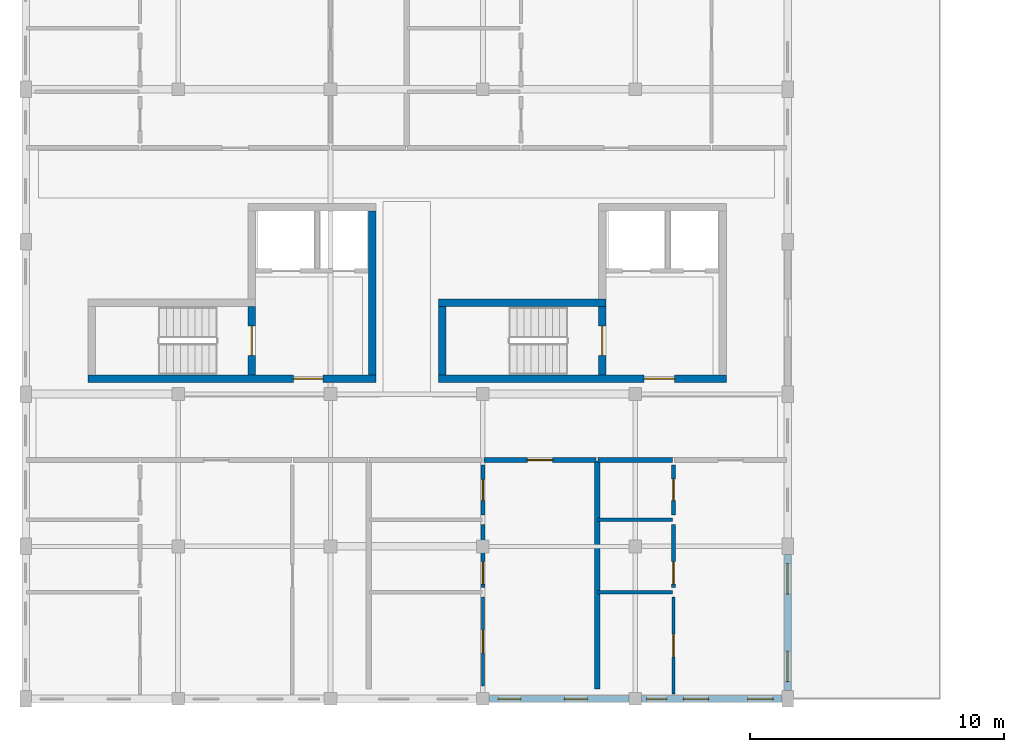
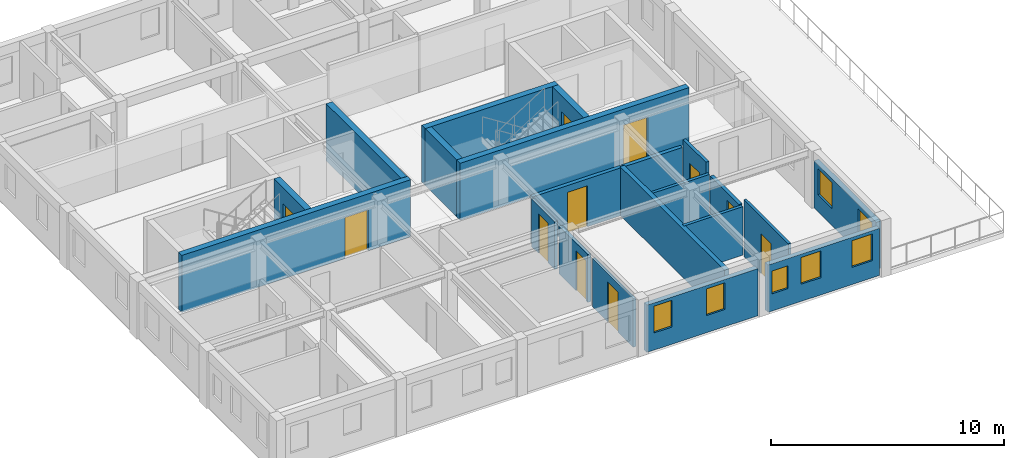
# One storey, part 4 of 13: 21 walls, 11 doors, 7 windows, 18 openings.
"""IFC4 building model written with IfcOpenShell, lengths in metres."""

from ifc_helpers import new_model, si_unit, direction, frame, frame_2d, origin, place, context, subcontext, project, spatial, rectangle, extrude, material, layer, layer_set, type_object, element, fill, save


model = new_model("IFC4")

# Units and contexts
model_context = context("Model", 3, precision=1e-05, world=origin(), true_north=direction((0.0, 1.0)))
body_context = subcontext(model_context, "Body", "Model", "MODEL_VIEW")
ifc_project = project(units=[si_unit("LENGTHUNIT", "METRE"), si_unit("AREAUNIT", "SQUARE_METRE"), si_unit("VOLUMEUNIT", "CUBIC_METRE"), si_unit("PLANEANGLEUNIT", "RADIAN"), si_unit("MASSUNIT", "GRAM", prefix="KILO"), si_unit("POWERUNIT", "WATT"), si_unit("THERMODYNAMICTEMPERATUREUNIT", "KELVIN")], contexts=[model_context])

# Site, building, storey
site_placement = place(None, origin())
site = spatial("IfcSite", under=ifc_project, at=site_placement, CompositionType="ELEMENT")
building_placement = place(site_placement, origin())
building = spatial("IfcBuilding", under=site, at=building_placement, Name="Ruvembo Vaulted Housing Court", CompositionType="ELEMENT")
storey_placement = place(building_placement, frame((0.0, 0.0, 33.300048828125)))
storey = spatial("IfcBuildingStorey", under=building, at=storey_placement, Name="L10", CompositionType="ELEMENT", Elevation=33.300048828125)

# Wall, opening, door
ifc_material_1 = material(Name="Concrete C35/45", Category="concrete")
ifc_layer_1 = layer(ifc_material_1, 0.300048828125, Name="Concrete C35/45")
ifc_layer_set_1 = layer_set([ifc_layer_1], Name="Concrete C35/45")
wall_type_1 = type_object("IfcWallType", Name="WL-CORE-300", PredefinedType="SHEAR", material=ifc_layer_set_1)
wall_1_placement = place(storey_placement, frame((2.449951171875, 18.60009765625, 0.0), z_axis=(0.0, 0.0, 1.0), x_axis=(1.0, 0.0, 0.0)))
wall_1 = element("IfcWall", 1, at=wall_1_placement, inside=storey, type_object=wall_type_1, Name="Core A1 L10 South Shear Wall", PredefinedType="SHEAR", context=body_context, shape_type="SweptSolid", body=[
    extrude(rectangle(XDim=11.35009765625, YDim=0.300048828125, at=frame_2d((5.675048828125, 0.0))), origin(), (0.0, 0.0, 1.0), 2.989990234375),
])
opening_1_placement = place(wall_1_placement, frame((8.10009765625, 0.0, 0.0)))
opening_1 = element("IfcOpeningElement", 2, at=opening_1_placement, cuts=wall_1, Name="Opening LD0", PredefinedType="OPENING", context=body_context, shape_type="SweptSolid", body=[
    extrude(rectangle(XDim=1.14990234375, YDim=2.14990234375, at=frame_2d((0.574951171875, 1.074951171875))), frame((0.0, 0.159912109375, 0.0), z_axis=(0.0, -1.0, 0.0), x_axis=(1.0, 0.0, 0.0)), (0.0, 0.0, 1.0), 0.320068359375),
])
ifc_material_2 = material(Name="Galvanised Painted Steel", Category="steel")
door_type_1 = type_object("IfcDoorType", Name="DR-LOB-1150x2150", OperationType="NOTDEFINED", PredefinedType="DOOR", material=ifc_material_2)
door_1_placement = place(opening_1_placement, origin())
door_1 = element("IfcDoor", 3, at=door_1_placement, inside=storey, type_object=door_type_1, Name="Core A1 L10 Lobby Fire Door", OperationType="SINGLE_SWING_RIGHT", OverallHeight=2.14990234375, OverallWidth=1.14990234375, PredefinedType="DOOR", context=body_context, shape_type="SweptSolid", body=[
    extrude(rectangle(XDim=1.14990234375, YDim=2.14990234375, at=frame_2d((0.574951171875, 1.074951171875))), frame((0.0, 0.02490234375, 0.0), z_axis=(0.0, -1.0, 0.0), x_axis=(1.0, 0.0, 0.0)), (0.0, 0.0, 1.0), 0.050048828125),
])
fill(opening_1, door_1)

wall_2_placement = place(storey_placement, frame((8.89990234375, 18.75, 0.0), z_axis=(0.0, 0.0, 1.0), x_axis=(0.0, 1.0, 0.0)))
wall_2 = element("IfcWall", 4, at=wall_2_placement, inside=storey, type_object=wall_type_1, Name="Core A1 L10 Stair-Lobby Shear Wall", PredefinedType="SHEAR", context=body_context, shape_type="SweptSolid", body=[
    extrude(rectangle(XDim=2.699951171875, YDim=0.300048828125, at=frame_2d((1.35009765625, 0.0))), origin(), (0.0, 0.0, 1.0), 2.989990234375),
])
opening_2_placement = place(wall_2_placement, frame((0.77490234375, 0.0, 0.0)))
opening_2 = element("IfcOpeningElement", 5, at=opening_2_placement, cuts=wall_2, Name="Opening SD1", PredefinedType="OPENING", context=body_context, shape_type="SweptSolid", body=[
    extrude(rectangle(XDim=1.14990234375, YDim=2.14990234375, at=frame_2d((0.574951171875, 1.074951171875))), frame((0.0, 0.159912109375, 0.0), z_axis=(0.0, -1.0, 0.0), x_axis=(1.0, 0.0, 0.0)), (0.0, 0.0, 1.0), 0.320068359375),
])
door_type_2 = type_object("IfcDoorType", Name="DR-STAIR-1150x2150", OperationType="NOTDEFINED", PredefinedType="DOOR", material=ifc_material_2)
door_2_placement = place(opening_2_placement, origin())
door_2 = element("IfcDoor", 6, at=door_2_placement, inside=storey, type_object=door_type_2, Name="Stair ST-A1 L10 Fire Door", OperationType="SINGLE_SWING_LEFT", OverallHeight=2.14990234375, OverallWidth=1.14990234375, PredefinedType="DOOR", context=body_context, shape_type="SweptSolid", body=[
    extrude(rectangle(XDim=1.14990234375, YDim=2.14990234375, at=frame_2d((0.574951171875, 1.074951171875))), frame((0.0, 0.02490234375, 0.0), z_axis=(0.0, -1.0, 0.0), x_axis=(1.0, 0.0, 0.0)), (0.0, 0.0, 1.0), 0.050048828125),
])
fill(opening_2, door_2)

# Wall
wall_3_placement = place(storey_placement, frame((13.64990234375, 18.75, 0.0), z_axis=(0.0, 0.0, 1.0), x_axis=(0.0, 1.0, 0.0)))
element("IfcWall", 7, at=wall_3_placement, inside=storey, type_object=wall_type_1, Name="Core A1 L10 East Shear Wall", PredefinedType="SHEAR", context=body_context, shape_type="SweptSolid", body=[
    extrude(rectangle(XDim=6.449951171875, YDim=0.300048828125, at=frame_2d((3.22509765625, 0.0))), origin(), (0.0, 0.0, 1.0), 2.989990234375),
])

# Wall, opening, door
wall_4_placement = place(storey_placement, frame((16.25, 18.60009765625, 0.0), z_axis=(0.0, 0.0, 1.0), x_axis=(1.0, 0.0, 0.0)))
wall_4 = element("IfcWall", 8, at=wall_4_placement, inside=storey, type_object=wall_type_1, Name="Core A2 L10 South Shear Wall", PredefinedType="SHEAR", context=body_context, shape_type="SweptSolid", body=[
    extrude(rectangle(XDim=11.35009765625, YDim=0.300048828125, at=frame_2d((5.675048828125, 0.0))), origin(), (0.0, 0.0, 1.0), 2.989990234375),
])
opening_3_placement = place(wall_4_placement, frame((8.10009765625, 0.0, 0.0)))
opening_3 = element("IfcOpeningElement", 9, at=opening_3_placement, cuts=wall_4, Name="Opening LD3", PredefinedType="OPENING", context=body_context, shape_type="SweptSolid", body=[
    extrude(rectangle(XDim=1.199951171875, YDim=2.14990234375, at=frame_2d((0.60009765625, 1.074951171875))), frame((0.0, 0.159912109375, 0.0), z_axis=(0.0, -1.0, 0.0), x_axis=(1.0, 0.0, 0.0)), (0.0, 0.0, 1.0), 0.320068359375),
])
door_type_3 = type_object("IfcDoorType", Name="DR-LOB-1200x2150", OperationType="NOTDEFINED", PredefinedType="DOOR", material=ifc_material_2)
door_3_placement = place(opening_3_placement, origin())
door_3 = element("IfcDoor", 10, at=door_3_placement, inside=storey, type_object=door_type_3, Name="Core A2 L10 Lobby Fire Door", OperationType="SINGLE_SWING_RIGHT", OverallHeight=2.14990234375, OverallWidth=1.199951171875, PredefinedType="DOOR", context=body_context, shape_type="SweptSolid", body=[
    extrude(rectangle(XDim=1.199951171875, YDim=2.14990234375, at=frame_2d((0.60009765625, 1.074951171875))), frame((0.0, 0.02490234375, 0.0), z_axis=(0.0, -1.0, 0.0), x_axis=(1.0, 0.0, 0.0)), (0.0, 0.0, 1.0), 0.050048828125),
])
fill(opening_3, door_3)

# Walls
wall_5_placement = place(storey_placement, frame((22.85009765625, 21.60009765625, 0.0), z_axis=(0.0, 0.0, 1.0), x_axis=(-1.0, 0.0, 0.0)))
element("IfcWall", 11, at=wall_5_placement, inside=storey, type_object=wall_type_1, Name="Core A2 L10 Stair North Shear Wall", PredefinedType="SHEAR", context=body_context, shape_type="SweptSolid", body=[
    extrude(rectangle(XDim=6.60009765625, YDim=0.300048828125, at=frame_2d((3.300048828125, 0.0))), origin(), (0.0, 0.0, 1.0), 2.989990234375),
])
wall_6_placement = place(storey_placement, frame((16.39990234375, 21.449951171875, 0.0), z_axis=(0.0, 0.0, 1.0), x_axis=(0.0, -1.0, 0.0)))
element("IfcWall", 12, at=wall_6_placement, inside=storey, type_object=wall_type_1, Name="Core A2 L10 Stair West Shear Wall", PredefinedType="SHEAR", context=body_context, shape_type="SweptSolid", body=[
    extrude(rectangle(XDim=2.699951171875, YDim=0.300048828125, at=frame_2d((1.35009765625, 0.0))), origin(), (0.0, 0.0, 1.0), 2.989990234375),
])

# Wall, opening, door
wall_7_placement = place(storey_placement, frame((22.699951171875, 18.75, 0.0), z_axis=(0.0, 0.0, 1.0), x_axis=(0.0, 1.0, 0.0)))
wall_7 = element("IfcWall", 13, at=wall_7_placement, inside=storey, type_object=wall_type_1, Name="Core A2 L10 Stair-Lobby Shear Wall", PredefinedType="SHEAR", context=body_context, shape_type="SweptSolid", body=[
    extrude(rectangle(XDim=2.699951171875, YDim=0.300048828125, at=frame_2d((1.35009765625, 0.0))), origin(), (0.0, 0.0, 1.0), 2.989990234375),
])
opening_4_placement = place(wall_7_placement, frame((0.77490234375, 0.0, 0.0)))
opening_4 = element("IfcOpeningElement", 14, at=opening_4_placement, cuts=wall_7, Name="Opening SD1", PredefinedType="OPENING", context=body_context, shape_type="SweptSolid", body=[
    extrude(rectangle(XDim=1.14990234375, YDim=2.14990234375, at=frame_2d((0.574951171875, 1.074951171875))), frame((0.0, 0.159912109375, 0.0), z_axis=(0.0, -1.0, 0.0), x_axis=(1.0, 0.0, 0.0)), (0.0, 0.0, 1.0), 0.320068359375),
])
door_4_placement = place(opening_4_placement, origin())
door_4 = element("IfcDoor", 15, at=door_4_placement, inside=storey, type_object=door_type_2, Name="Stair ST-A2 L10 Fire Door", OperationType="SINGLE_SWING_LEFT", OverallHeight=2.14990234375, OverallWidth=1.14990234375, PredefinedType="DOOR", context=body_context, shape_type="SweptSolid", body=[
    extrude(rectangle(XDim=1.14990234375, YDim=2.14990234375, at=frame_2d((0.574951171875, 1.074951171875))), frame((0.0, 0.02490234375, 0.0), z_axis=(0.0, -1.0, 0.0), x_axis=(1.0, 0.0, 0.0)), (0.0, 0.0, 1.0), 0.050048828125),
])
fill(opening_4, door_4)

ifc_material_3 = material(Name="Concrete Blockwork 190", Category="masonry")
ifc_layer_2 = layer(ifc_material_3, 0.18994140625, Name="Concrete Blockwork 190")
ifc_layer_set_2 = layer_set([ifc_layer_2], Name="Concrete Blockwork 190")
wall_type_2 = type_object("IfcWallType", Name="WL-CORR-190", PredefinedType="SOLIDWALL", material=ifc_layer_set_2)
wall_8_placement = place(storey_placement, frame((18.0400390625, 15.39990234375, 0.0), z_axis=(0.0, 0.0, 1.0), x_axis=(1.0, 0.0, 0.0)))
wall_8 = element("IfcWall", 16, at=wall_8_placement, inside=storey, type_object=wall_type_2, Name="L10 Flat A-L10-S2 Entrance WL-INT-L10-02211", PredefinedType="SOLIDWALL", context=body_context, shape_type="SweptSolid", body=[
    extrude(rectangle(XDim=4.419921875, YDim=0.18994140625, at=frame_2d((2.2099609375, 0.0))), origin(), (0.0, 0.0, 1.0), 2.508056640625),
])
opening_5_placement = place(wall_8_placement, frame((1.7099609375, 0.0, 0.0)))
opening_5 = element("IfcOpeningElement", 17, at=opening_5_placement, cuts=wall_8, Name="Opening FD1", PredefinedType="OPENING", context=body_context, shape_type="SweptSolid", body=[
    extrude(rectangle(XDim=1.0, YDim=2.14990234375, at=frame_2d((0.5, 1.074951171875))), frame((0.0, 0.10498046875, 0.0), z_axis=(0.0, -1.0, 0.0), x_axis=(1.0, 0.0, 0.0)), (0.0, 0.0, 1.0), 0.2099609375),
])
ifc_material_4 = material(Name="FSC Hardwood and Engineered Timber", Category="wood")
door_type_4 = type_object("IfcDoorType", Name="DR-FLAT-1000x2150", OperationType="NOTDEFINED", PredefinedType="DOOR", material=ifc_material_4)
door_5_placement = place(opening_5_placement, origin())
door_5 = element("IfcDoor", 18, at=door_5_placement, inside=storey, type_object=door_type_4, Name="L10 Flat A-L10-S2 Entrance Door DR-INT-L10-01227", OperationType="SINGLE_SWING_LEFT", OverallHeight=2.14990234375, OverallWidth=1.0, PredefinedType="DOOR", context=body_context, shape_type="SweptSolid", body=[
    extrude(rectangle(XDim=1.0, YDim=2.14990234375, at=frame_2d((0.5, 1.074951171875))), frame((0.0, 0.02490234375, 0.0), z_axis=(0.0, -1.0, 0.0), x_axis=(1.0, 0.0, 0.0)), (0.0, 0.0, 1.0), 0.050048828125),
])
fill(opening_5, door_5)

# Walls
wall_9_placement = place(storey_placement, frame((22.5400390625, 15.39990234375, 0.0), z_axis=(0.0, 0.0, 1.0), x_axis=(1.0, 0.0, 0.0)))
element("IfcWall", 19, at=wall_9_placement, inside=storey, type_object=wall_type_2, Name="L10 Flat A-L10-S3 Corridor Wall WL-INT-L10-02217", PredefinedType="SOLIDWALL", context=body_context, shape_type="SweptSolid", body=[
    extrude(rectangle(XDim=2.919921875, YDim=0.18994140625, at=frame_2d((1.4599609375, 0.0))), origin(), (0.0, 0.0, 1.0), 2.508056640625),
])
ifc_material_5 = material(Name="Acoustic Masonry Demising 220", Category="masonry")
ifc_layer_3 = layer(ifc_material_5, 0.219970703125, Name="Acoustic Masonry Demising 220")
ifc_layer_set_3 = layer_set([ifc_layer_3], Name="Acoustic Masonry Demising 220")
wall_type_3 = type_object("IfcWallType", Name="WL-DEM-200", PredefinedType="SOLIDWALL", material=ifc_layer_set_3)
wall_10_placement = place(storey_placement, frame((22.5, 6.389892578125, 0.0), z_axis=(0.0, 0.0, 1.0), x_axis=(0.0, 1.0, 0.0)))
element("IfcWall", 20, at=wall_10_placement, inside=storey, type_object=wall_type_3, Name="L10 Demising A-L10-S2 WL-INT-L10-02209", PredefinedType="SOLIDWALL", context=body_context, shape_type="SweptSolid", body=[
    extrude(rectangle(XDim=8.97021484375, YDim=0.219970703125, at=frame_2d((4.485107421875, 0.0))), origin(), (0.0, 0.0, 1.0), 2.5478515625),
])

# Wall, openings, windows
ifc_material_6 = material(Name="Rendered Masonry 245", Category="masonry")
ifc_layer_4 = layer(ifc_material_6, 0.2451171875, Name="Rendered Masonry 245")
ifc_layer_set_4 = layer_set([ifc_layer_4], Name="Rendered Masonry 245")
wall_type_4 = type_object("IfcWallType", Name="WL-EXT-245", PredefinedType="STANDARD", material=ifc_layer_set_4)
wall_11_placement = place(storey_placement, frame((18.25, 6.0, 0.0), z_axis=(0.0, 0.0, 1.0), x_axis=(1.0, 0.0, 0.0)))
wall_11 = element("IfcWall", 21, at=wall_11_placement, inside=storey, type_object=wall_type_4, Name="Block A L10 Exterior Wall STREET #4", PredefinedType="STANDARD", context=body_context, shape_type="SweptSolid", body=[
    extrude(rectangle(XDim=5.5, YDim=0.2451171875, at=frame_2d((2.75, 0.0))), origin(), (0.0, 0.0, 1.0), 2.471923828125),
])
opening_6_placement = place(wall_11_placement, frame((0.35009765625, 0.0, 0.89990234375)))
opening_6 = element("IfcOpeningElement", 22, at=opening_6_placement, cuts=wall_11, Name="Opening W05", PredefinedType="OPENING", context=body_context, shape_type="SweptSolid", body=[
    extrude(rectangle(XDim=0.89990234375, YDim=1.39990234375, at=frame_2d((0.449951171875, 0.699951171875))), frame((0.0, 0.132568359375, 0.0), z_axis=(0.0, -1.0, 0.0), x_axis=(1.0, 0.0, 0.0)), (0.0, 0.0, 1.0), 0.26513671875),
])
opening_7_placement = place(wall_11_placement, frame((2.9599609375, 0.0, 0.89990234375)))
opening_7 = element("IfcOpeningElement", 23, at=opening_7_placement, cuts=wall_11, Name="Opening W05", PredefinedType="OPENING", context=body_context, shape_type="SweptSolid", body=[
    extrude(rectangle(XDim=0.89990234375, YDim=1.39990234375, at=frame_2d((0.449951171875, 0.699951171875))), frame((0.0, 0.132568359375, 0.0), z_axis=(0.0, -1.0, 0.0), x_axis=(1.0, 0.0, 0.0)), (0.0, 0.0, 1.0), 0.26513671875),
])
ifc_material_7 = material(Name="Double Solar-Control Glazing in Aluminium Frame", Category="aluminium")
window_type_1 = type_object("IfcWindowType", Name="WIN-0900x1400", PartitioningType="SINGLE_PANEL", PredefinedType="WINDOW", material=ifc_material_7)
window_1_placement = place(opening_6_placement, origin())
window_1 = element("IfcWindow", 24, at=window_1_placement, inside=storey, type_object=window_type_1, Name="Block A L10 Window #438", OverallHeight=1.39990234375, OverallWidth=0.89990234375, PartitioningType="SINGLE_PANEL", PredefinedType="WINDOW", context=body_context, shape_type="SweptSolid", body=[
    extrude(rectangle(XDim=0.89990234375, YDim=1.39990234375, at=frame_2d((0.449951171875, 0.699951171875))), frame((0.0, 0.030029296875, 0.0), z_axis=(0.0, -1.0, 0.0), x_axis=(1.0, 0.0, 0.0)), (0.0, 0.0, 1.0), 0.06005859375),
])
fill(opening_6, window_1)
window_2_placement = place(opening_7_placement, origin())
window_2 = element("IfcWindow", 25, at=window_2_placement, inside=storey, type_object=window_type_1, Name="Block A L10 Window #439", OverallHeight=1.39990234375, OverallWidth=0.89990234375, PartitioningType="SINGLE_PANEL", PredefinedType="WINDOW", context=body_context, shape_type="SweptSolid", body=[
    extrude(rectangle(XDim=0.89990234375, YDim=1.39990234375, at=frame_2d((0.449951171875, 0.699951171875))), frame((0.0, 0.030029296875, 0.0), z_axis=(0.0, -1.0, 0.0), x_axis=(1.0, 0.0, 0.0)), (0.0, 0.0, 1.0), 0.06005859375),
])
fill(opening_7, window_2)

wall_12_placement = place(storey_placement, frame((24.25, 6.0, 0.0), z_axis=(0.0, 0.0, 1.0), x_axis=(1.0, 0.0, 0.0)))
wall_12 = element("IfcWall", 26, at=wall_12_placement, inside=storey, type_object=wall_type_4, Name="Block A L10 Exterior Wall STREET #5", PredefinedType="STANDARD", context=body_context, shape_type="SweptSolid", body=[
    extrude(rectangle(XDim=5.52490234375, YDim=0.2451171875, at=frame_2d((2.762451171875, 0.0))), origin(), (0.0, 0.0, 1.0), 2.471923828125),
])
opening_8_placement = place(wall_12_placement, frame((1.639892578125, 0.0, 0.89990234375)))
opening_8 = element("IfcOpeningElement", 27, at=opening_8_placement, cuts=wall_12, Name="Opening W08", PredefinedType="OPENING", context=body_context, shape_type="SweptSolid", body=[
    extrude(rectangle(XDim=1.0, YDim=1.39990234375, at=frame_2d((0.5, 0.699951171875))), frame((0.0, 0.132568359375, 0.0), z_axis=(0.0, -1.0, 0.0), x_axis=(1.0, 0.0, 0.0)), (0.0, 0.0, 1.0), 0.26513671875),
])
opening_9_placement = place(wall_12_placement, frame((4.175048828125, 0.0, 0.89990234375)))
opening_9 = element("IfcOpeningElement", 28, at=opening_9_placement, cuts=wall_12, Name="Opening W08", PredefinedType="OPENING", context=body_context, shape_type="SweptSolid", body=[
    extrude(rectangle(XDim=1.0, YDim=1.39990234375, at=frame_2d((0.5, 0.699951171875))), frame((0.0, 0.132568359375, 0.0), z_axis=(0.0, -1.0, 0.0), x_axis=(1.0, 0.0, 0.0)), (0.0, 0.0, 1.0), 0.26513671875),
])
opening_10_placement = place(wall_12_placement, frame((0.193603515625, 0.0, 0.89990234375)))
opening_10 = element("IfcOpeningElement", 29, at=opening_10_placement, cuts=wall_12, Name="Opening W02", PredefinedType="OPENING", context=body_context, shape_type="SweptSolid", body=[
    extrude(rectangle(XDim=0.800048828125, YDim=1.199951171875, at=frame_2d((0.39990234375, 0.60009765625))), frame((0.0, 0.132568359375, 0.0), z_axis=(0.0, -1.0, 0.0), x_axis=(1.0, 0.0, 0.0)), (0.0, 0.0, 1.0), 0.26513671875),
])
window_type_2 = type_object("IfcWindowType", Name="WIN-0800x1200", PartitioningType="SINGLE_PANEL", PredefinedType="WINDOW", material=ifc_material_7)
window_3_placement = place(opening_10_placement, origin())
window_3 = element("IfcWindow", 30, at=window_3_placement, inside=storey, type_object=window_type_2, Name="Block A L10 Window #2083", OverallHeight=1.199951171875, OverallWidth=0.800048828125, PartitioningType="SINGLE_PANEL", PredefinedType="WINDOW", context=body_context, shape_type="SweptSolid", body=[
    extrude(rectangle(XDim=0.800048828125, YDim=1.199951171875, at=frame_2d((0.39990234375, 0.60009765625))), frame((0.0, 0.030029296875, 0.0), z_axis=(0.0, -1.0, 0.0), x_axis=(1.0, 0.0, 0.0)), (0.0, 0.0, 1.0), 0.06005859375),
])
fill(opening_10, window_3)
window_type_3 = type_object("IfcWindowType", Name="WIN-1000x1400", PartitioningType="SINGLE_PANEL", PredefinedType="WINDOW", material=ifc_material_7)
window_4_placement = place(opening_8_placement, origin())
window_4 = element("IfcWindow", 31, at=window_4_placement, inside=storey, type_object=window_type_3, Name="Block A L10 Window #440", OverallHeight=1.39990234375, OverallWidth=1.0, PartitioningType="SINGLE_PANEL", PredefinedType="WINDOW", context=body_context, shape_type="SweptSolid", body=[
    extrude(rectangle(XDim=1.0, YDim=1.39990234375, at=frame_2d((0.5, 0.699951171875))), frame((0.0, 0.030029296875, 0.0), z_axis=(0.0, -1.0, 0.0), x_axis=(1.0, 0.0, 0.0)), (0.0, 0.0, 1.0), 0.06005859375),
])
fill(opening_8, window_4)
window_5_placement = place(opening_9_placement, origin())
window_5 = element("IfcWindow", 32, at=window_5_placement, inside=storey, type_object=window_type_3, Name="Block A L10 Window #441", OverallHeight=1.39990234375, OverallWidth=1.0, PartitioningType="SINGLE_PANEL", PredefinedType="WINDOW", context=body_context, shape_type="SweptSolid", body=[
    extrude(rectangle(XDim=1.0, YDim=1.39990234375, at=frame_2d((0.5, 0.699951171875))), frame((0.0, 0.030029296875, 0.0), z_axis=(0.0, -1.0, 0.0), x_axis=(1.0, 0.0, 0.0)), (0.0, 0.0, 1.0), 0.06005859375),
])
fill(opening_9, window_5)

wall_13_placement = place(storey_placement, frame((30.0, 6.324951171875, 0.0), z_axis=(0.0, 0.0, 1.0), x_axis=(0.0, 1.0, 0.0)))
wall_13 = element("IfcWall", 33, at=wall_13_placement, inside=storey, type_object=wall_type_4, Name="Block A L10 Exterior Wall EAST #1", PredefinedType="STANDARD", context=body_context, shape_type="SweptSolid", body=[
    extrude(rectangle(XDim=5.35009765625, YDim=0.2451171875, at=frame_2d((2.675048828125, 0.0))), origin(), (0.0, 0.0, 1.0), 2.471923828125),
])
opening_11_placement = place(wall_13_placement, frame((0.35009765625, 0.0, 0.89990234375)))
opening_11 = element("IfcOpeningElement", 34, at=opening_11_placement, cuts=wall_13, Name="Opening W12", PredefinedType="OPENING", context=body_context, shape_type="SweptSolid", body=[
    extrude(rectangle(XDim=1.199951171875, YDim=1.35009765625, at=frame_2d((0.60009765625, 0.675048828125))), frame((0.0, 0.132568359375, 0.0), z_axis=(0.0, -1.0, 0.0), x_axis=(1.0, 0.0, 0.0)), (0.0, 0.0, 1.0), 0.26513671875),
])
opening_12_placement = place(wall_13_placement, frame((3.800048828125, 0.0, 0.89990234375)))
opening_12 = element("IfcOpeningElement", 35, at=opening_12_placement, cuts=wall_13, Name="Opening W12", PredefinedType="OPENING", context=body_context, shape_type="SweptSolid", body=[
    extrude(rectangle(XDim=1.199951171875, YDim=1.35009765625, at=frame_2d((0.60009765625, 0.675048828125))), frame((0.0, 0.132568359375, 0.0), z_axis=(0.0, -1.0, 0.0), x_axis=(1.0, 0.0, 0.0)), (0.0, 0.0, 1.0), 0.26513671875),
])
window_type_4 = type_object("IfcWindowType", Name="WIN-1200x1350", PartitioningType="SINGLE_PANEL", PredefinedType="WINDOW", material=ifc_material_7)
window_6_placement = place(opening_11_placement, origin())
window_6 = element("IfcWindow", 36, at=window_6_placement, inside=storey, type_object=window_type_4, Name="Block A L10 Window #442", OverallHeight=1.35009765625, OverallWidth=1.199951171875, PartitioningType="SINGLE_PANEL", PredefinedType="WINDOW", context=body_context, shape_type="SweptSolid", body=[
    extrude(rectangle(XDim=1.199951171875, YDim=1.35009765625, at=frame_2d((0.60009765625, 0.675048828125))), frame((0.0, 0.030029296875, 0.0), z_axis=(0.0, -1.0, 0.0), x_axis=(1.0, 0.0, 0.0)), (0.0, 0.0, 1.0), 0.06005859375),
])
fill(opening_11, window_6)
window_7_placement = place(opening_12_placement, origin())
window_7 = element("IfcWindow", 37, at=window_7_placement, inside=storey, type_object=window_type_4, Name="Block A L10 Window #443", OverallHeight=1.35009765625, OverallWidth=1.199951171875, PartitioningType="SINGLE_PANEL", PredefinedType="WINDOW", context=body_context, shape_type="SweptSolid", body=[
    extrude(rectangle(XDim=1.199951171875, YDim=1.35009765625, at=frame_2d((0.60009765625, 0.675048828125))), frame((0.0, 0.030029296875, 0.0), z_axis=(0.0, -1.0, 0.0), x_axis=(1.0, 0.0, 0.0)), (0.0, 0.0, 1.0), 0.06005859375),
])
fill(opening_12, window_7)

# Wall, opening, door
ifc_material_8 = material(Name="Plasterboard Stud Partition 125", Category="gypsum")
ifc_layer_5 = layer(ifc_material_8, 0.125, Name="Plasterboard Stud Partition 125")
ifc_layer_set_5 = layer_set([ifc_layer_5], Name="Plasterboard Stud Partition 125")
wall_type_5 = type_object("IfcWallType", Name="WL-PART-125", PredefinedType="PARTITIONING", material=ifc_layer_set_5)
wall_14_placement = place(storey_placement, frame((18.0, 6.510009765625, 0.0), z_axis=(0.0, 0.0, 1.0), x_axis=(0.0, 1.0, 0.0)))
wall_14 = element("IfcWall", 38, at=wall_14_placement, inside=storey, type_object=wall_type_5, Name="L10 Flat A-L10-S2 Bedroom 1 WL-INT-L10-02212", PredefinedType="PARTITIONING", context=body_context, shape_type="SweptSolid", body=[
    extrude(rectangle(XDim=3.5, YDim=0.125, at=frame_2d((1.75, 0.0))), origin(), (0.0, 0.0, 1.0), 2.5478515625),
])
opening_13_placement = place(wall_14_placement, frame((1.300048828125, 0.0, 0.0)))
opening_13 = element("IfcOpeningElement", 39, at=opening_13_placement, cuts=wall_14, Name="Opening ID1", PredefinedType="OPENING", context=body_context, shape_type="SweptSolid", body=[
    extrude(rectangle(XDim=0.89990234375, YDim=2.10009765625, at=frame_2d((0.449951171875, 1.050048828125))), frame((0.0, 0.072509765625, 0.0), z_axis=(0.0, -1.0, 0.0), x_axis=(1.0, 0.0, 0.0)), (0.0, 0.0, 1.0), 0.14501953125),
])
door_type_5 = type_object("IfcDoorType", Name="DR-ROOM-0900x2100", OperationType="NOTDEFINED", PredefinedType="DOOR", material=ifc_material_4)
door_6_placement = place(opening_13_placement, origin())
door_6 = element("IfcDoor", 40, at=door_6_placement, inside=storey, type_object=door_type_5, Name="L10 Flat A-L10-S2 Bedroom 1 Door DR-INT-L10-01228", OperationType="SINGLE_SWING_RIGHT", OverallHeight=2.10009765625, OverallWidth=0.89990234375, PredefinedType="DOOR", context=body_context, shape_type="SweptSolid", body=[
    extrude(rectangle(XDim=0.89990234375, YDim=2.10009765625, at=frame_2d((0.449951171875, 1.050048828125))), frame((0.0, 0.02490234375, 0.0), z_axis=(0.0, -1.0, 0.0), x_axis=(1.0, 0.0, 0.0)), (0.0, 0.0, 1.0), 0.050048828125),
])
fill(opening_13, door_6)

wall_15_placement = place(storey_placement, frame((25.5, 6.18994140625, 0.0), z_axis=(0.0, 0.0, 1.0), x_axis=(0.0, 1.0, 0.0)))
wall_15 = element("IfcWall", 41, at=wall_15_placement, inside=storey, type_object=wall_type_5, Name="L10 Flat A-L10-S3 Bedroom 1 WL-INT-L10-02219", PredefinedType="PARTITIONING", context=body_context, shape_type="SweptSolid", body=[
    extrude(rectangle(XDim=3.820068359375, YDim=0.125, at=frame_2d((1.91015625, 0.0))), origin(), (0.0, 0.0, 1.0), 2.989990234375),
])
opening_14_placement = place(wall_15_placement, frame((1.4599609375, 0.0, 0.0)))
opening_14 = element("IfcOpeningElement", 42, at=opening_14_placement, cuts=wall_15, Name="Opening ID1", PredefinedType="OPENING", context=body_context, shape_type="SweptSolid", body=[
    extrude(rectangle(XDim=0.89990234375, YDim=2.10009765625, at=frame_2d((0.449951171875, 1.050048828125))), frame((0.0, 0.072509765625, 0.0), z_axis=(0.0, -1.0, 0.0), x_axis=(1.0, 0.0, 0.0)), (0.0, 0.0, 1.0), 0.14501953125),
])
door_7_placement = place(opening_14_placement, origin())
door_7 = element("IfcDoor", 43, at=door_7_placement, inside=storey, type_object=door_type_5, Name="L10 Flat A-L10-S3 Bedroom 1 Door DR-INT-L10-01232", OperationType="SINGLE_SWING_RIGHT", OverallHeight=2.10009765625, OverallWidth=0.89990234375, PredefinedType="DOOR", context=body_context, shape_type="SweptSolid", body=[
    extrude(rectangle(XDim=0.89990234375, YDim=2.10009765625, at=frame_2d((0.449951171875, 1.050048828125))), frame((0.0, 0.02490234375, 0.0), z_axis=(0.0, -1.0, 0.0), x_axis=(1.0, 0.0, 0.0)), (0.0, 0.0, 1.0), 0.050048828125),
])
fill(opening_14, door_7)

ifc_material_9 = material(Name="Moisture-Resistant Wet Partition 150", Category="gypsum")
ifc_layer_6 = layer(ifc_material_9, 0.14990234375, Name="Moisture-Resistant Wet Partition 150")
ifc_layer_set_6 = layer_set([ifc_layer_6], Name="Moisture-Resistant Wet Partition 150")
wall_type_6 = type_object("IfcWallType", Name="WL-PART-150", PredefinedType="PARTITIONING", material=ifc_layer_set_6)
wall_16_placement = place(storey_placement, frame((18.0, 13.239990234375, 0.0), z_axis=(0.0, 0.0, 1.0), x_axis=(0.0, 1.0, 0.0)))
wall_16 = element("IfcWall", 44, at=wall_16_placement, inside=storey, type_object=wall_type_6, Name="L10 Flat A-L10-S2 Bathroom WL-INT-L10-02214", PredefinedType="PARTITIONING", context=body_context, shape_type="SweptSolid", body=[
    extrude(rectangle(XDim=1.969970703125, YDim=0.14990234375, at=frame_2d((0.98486328125, 0.0))), origin(), (0.0, 0.0, 1.0), 2.508056640625),
])
opening_15_placement = place(wall_16_placement, frame((0.574951171875, 0.0, 0.0)))
opening_15 = element("IfcOpeningElement", 45, at=opening_15_placement, cuts=wall_16, Name="Opening ID4", PredefinedType="OPENING", context=body_context, shape_type="SweptSolid", body=[
    extrude(rectangle(XDim=0.820068359375, YDim=2.080078125, at=frame_2d((0.41015625, 1.0400390625))), frame((0.0, 0.0849609375, 0.0), z_axis=(0.0, -1.0, 0.0), x_axis=(1.0, 0.0, 0.0)), (0.0, 0.0, 1.0), 0.169921875),
])
door_type_6 = type_object("IfcDoorType", Name="DR-WET-0820x2080", OperationType="NOTDEFINED", PredefinedType="DOOR", material=ifc_material_4)
door_8_placement = place(opening_15_placement, origin())
door_8 = element("IfcDoor", 46, at=door_8_placement, inside=storey, type_object=door_type_6, Name="L10 Flat A-L10-S2 Bathroom Door DR-INT-L10-01230", OperationType="SINGLE_SWING_RIGHT", OverallHeight=2.080078125, OverallWidth=0.820068359375, PredefinedType="DOOR", context=body_context, shape_type="SweptSolid", body=[
    extrude(rectangle(XDim=0.820068359375, YDim=2.080078125, at=frame_2d((0.41015625, 1.0400390625))), frame((0.0, 0.02490234375, 0.0), z_axis=(0.0, -1.0, 0.0), x_axis=(1.0, 0.0, 0.0)), (0.0, 0.0, 1.0), 0.050048828125),
])
fill(opening_15, door_8)

wall_17_placement = place(storey_placement, frame((25.5, 13.239990234375, 0.0), z_axis=(0.0, 0.0, 1.0), x_axis=(0.0, 1.0, 0.0)))
wall_17 = element("IfcWall", 47, at=wall_17_placement, inside=storey, type_object=wall_type_6, Name="L10 Flat A-L10-S3 Bathroom WL-INT-L10-02221", PredefinedType="PARTITIONING", context=body_context, shape_type="SweptSolid", body=[
    extrude(rectangle(XDim=1.969970703125, YDim=0.14990234375, at=frame_2d((0.98486328125, 0.0))), origin(), (0.0, 0.0, 1.0), 2.989990234375),
])
opening_16_placement = place(wall_17_placement, frame((0.56005859375, 0.0, 0.0)))
opening_16 = element("IfcOpeningElement", 48, at=opening_16_placement, cuts=wall_17, Name="Opening ID2", PredefinedType="OPENING", context=body_context, shape_type="SweptSolid", body=[
    extrude(rectangle(XDim=0.85009765625, YDim=2.10009765625, at=frame_2d((0.425048828125, 1.050048828125))), frame((0.0, 0.0849609375, 0.0), z_axis=(0.0, -1.0, 0.0), x_axis=(1.0, 0.0, 0.0)), (0.0, 0.0, 1.0), 0.169921875),
])
door_type_7 = type_object("IfcDoorType", Name="DR-WET-0850x2100", OperationType="NOTDEFINED", PredefinedType="DOOR", material=ifc_material_4)
door_9_placement = place(opening_16_placement, origin())
door_9 = element("IfcDoor", 49, at=door_9_placement, inside=storey, type_object=door_type_7, Name="L10 Flat A-L10-S3 Bathroom Door DR-INT-L10-01234", OperationType="SINGLE_SWING_RIGHT", OverallHeight=2.10009765625, OverallWidth=0.85009765625, PredefinedType="DOOR", context=body_context, shape_type="SweptSolid", body=[
    extrude(rectangle(XDim=0.85009765625, YDim=2.10009765625, at=frame_2d((0.425048828125, 1.050048828125))), frame((0.0, 0.02490234375, 0.0), z_axis=(0.0, -1.0, 0.0), x_axis=(1.0, 0.0, 0.0)), (0.0, 0.0, 1.0), 0.050048828125),
])
fill(opening_16, door_9)

# Walls
wall_18_placement = place(storey_placement, frame((22.5400390625, 10.199951171875, 0.0), z_axis=(0.0, 0.0, 1.0), x_axis=(1.0, 0.0, 0.0)))
element("IfcWall", 50, at=wall_18_placement, inside=storey, type_object=wall_type_6, Name="L10 Flat A-L10-S3 Wet Wall 1 WL-INT-L10-02222", PredefinedType="PARTITIONING", context=body_context, shape_type="SweptSolid", body=[
    extrude(rectangle(XDim=2.919921875, YDim=0.14990234375, at=frame_2d((1.4599609375, 0.0))), origin(), (0.0, 0.0, 1.0), 2.5478515625),
])
wall_19_placement = place(storey_placement, frame((22.5400390625, 13.050048828125, 0.0), z_axis=(0.0, 0.0, 1.0), x_axis=(1.0, 0.0, 0.0)))
element("IfcWall", 51, at=wall_19_placement, inside=storey, type_object=wall_type_6, Name="L10 Flat A-L10-S3 Wet Wall 2 WL-INT-L10-02223", PredefinedType="PARTITIONING", context=body_context, shape_type="SweptSolid", body=[
    extrude(rectangle(XDim=2.919921875, YDim=0.14990234375, at=frame_2d((1.4599609375, 0.0))), origin(), (0.0, 0.0, 1.0), 2.508056640625),
])

# Wall, opening, door
ifc_material_10 = material(Name="Acoustic Service Chase Wall 160", Category="gypsum")
ifc_layer_7 = layer(ifc_material_10, 0.159912109375, Name="Acoustic Service Chase Wall 160")
ifc_layer_set_7 = layer_set([ifc_layer_7], Name="Acoustic Service Chase Wall 160")
wall_type_7 = type_object("IfcWallType", Name="WL-PLUMB-160", PredefinedType="PLUMBINGWALL", material=ifc_layer_set_7)
wall_20_placement = place(storey_placement, frame((18.0, 10.389892578125, 0.0), z_axis=(0.0, 0.0, 1.0), x_axis=(0.0, 1.0, 0.0)))
wall_20 = element("IfcWall", 52, at=wall_20_placement, inside=storey, type_object=wall_type_7, Name="L10 Flat A-L10-S2 Kitchen WL-INT-L10-02213", PredefinedType="PLUMBINGWALL", context=body_context, shape_type="SweptSolid", body=[
    extrude(rectangle(XDim=2.47021484375, YDim=0.159912109375, at=frame_2d((1.235107421875, 0.0))), origin(), (0.0, 0.0, 1.0), 2.508056640625),
])
opening_17_placement = place(wall_20_placement, frame((0.1298828125, 0.0, 0.0)))
opening_17 = element("IfcOpeningElement", 53, at=opening_17_placement, cuts=wall_20, Name="Opening ID3", PredefinedType="OPENING", context=body_context, shape_type="SweptSolid", body=[
    extrude(rectangle(XDim=0.8798828125, YDim=2.10009765625, at=frame_2d((0.43994140625, 1.050048828125))), frame((0.0, 0.08984375, 0.0), z_axis=(0.0, -1.0, 0.0), x_axis=(1.0, 0.0, 0.0)), (0.0, 0.0, 1.0), 0.179931640625),
])
door_type_8 = type_object("IfcDoorType", Name="DR-ROOM-0880x2100", OperationType="NOTDEFINED", PredefinedType="DOOR", material=ifc_material_4)
door_10_placement = place(opening_17_placement, origin())
door_10 = element("IfcDoor", 54, at=door_10_placement, inside=storey, type_object=door_type_8, Name="L10 Flat A-L10-S2 Kitchen Door DR-INT-L10-01229", OperationType="SINGLE_SWING_LEFT", OverallHeight=2.10009765625, OverallWidth=0.8798828125, PredefinedType="DOOR", context=body_context, shape_type="SweptSolid", body=[
    extrude(rectangle(XDim=0.8798828125, YDim=2.10009765625, at=frame_2d((0.43994140625, 1.050048828125))), frame((0.0, 0.02490234375, 0.0), z_axis=(0.0, -1.0, 0.0), x_axis=(1.0, 0.0, 0.0)), (0.0, 0.0, 1.0), 0.050048828125),
])
fill(opening_17, door_10)

wall_21_placement = place(storey_placement, frame((25.5, 10.389892578125, 0.0), z_axis=(0.0, 0.0, 1.0), x_axis=(0.0, 1.0, 0.0)))
wall_21 = element("IfcWall", 55, at=wall_21_placement, inside=storey, type_object=wall_type_7, Name="L10 Flat A-L10-S3 Kitchen WL-INT-L10-02220", PredefinedType="PLUMBINGWALL", context=body_context, shape_type="SweptSolid", body=[
    extrude(rectangle(XDim=2.47021484375, YDim=0.159912109375, at=frame_2d((1.235107421875, 0.0))), origin(), (0.0, 0.0, 1.0), 2.508056640625),
])
opening_18_placement = place(wall_21_placement, frame((0.1298828125, 0.0, 0.0)))
opening_18 = element("IfcOpeningElement", 56, at=opening_18_placement, cuts=wall_21, Name="Opening ID3", PredefinedType="OPENING", context=body_context, shape_type="SweptSolid", body=[
    extrude(rectangle(XDim=0.8798828125, YDim=2.10009765625, at=frame_2d((0.43994140625, 1.050048828125))), frame((0.0, 0.08984375, 0.0), z_axis=(0.0, -1.0, 0.0), x_axis=(1.0, 0.0, 0.0)), (0.0, 0.0, 1.0), 0.179931640625),
])
door_11_placement = place(opening_18_placement, origin())
door_11 = element("IfcDoor", 57, at=door_11_placement, inside=storey, type_object=door_type_8, Name="L10 Flat A-L10-S3 Kitchen Door DR-INT-L10-01233", OperationType="SINGLE_SWING_LEFT", OverallHeight=2.10009765625, OverallWidth=0.8798828125, PredefinedType="DOOR", context=body_context, shape_type="SweptSolid", body=[
    extrude(rectangle(XDim=0.8798828125, YDim=2.10009765625, at=frame_2d((0.43994140625, 1.050048828125))), frame((0.0, 0.02490234375, 0.0), z_axis=(0.0, -1.0, 0.0), x_axis=(1.0, 0.0, 0.0)), (0.0, 0.0, 1.0), 0.050048828125),
])
fill(opening_18, door_11)

save(model, "model.ifc")
